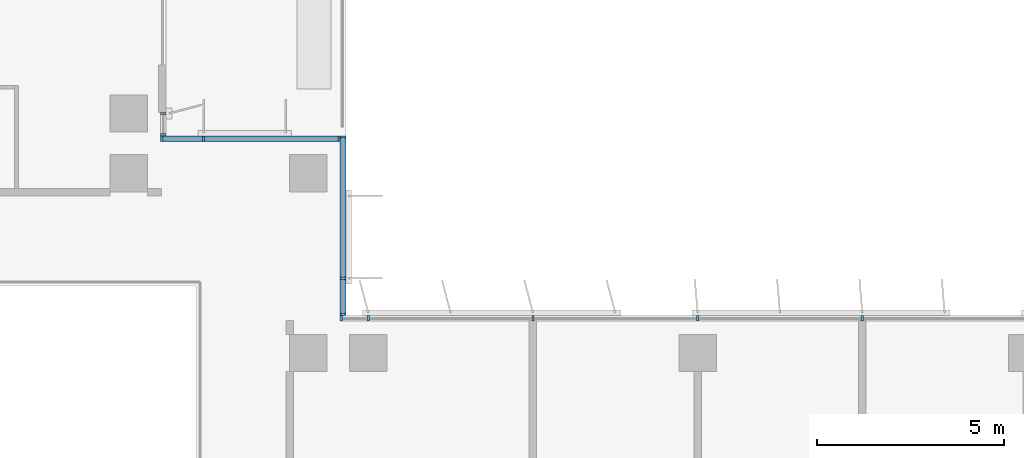
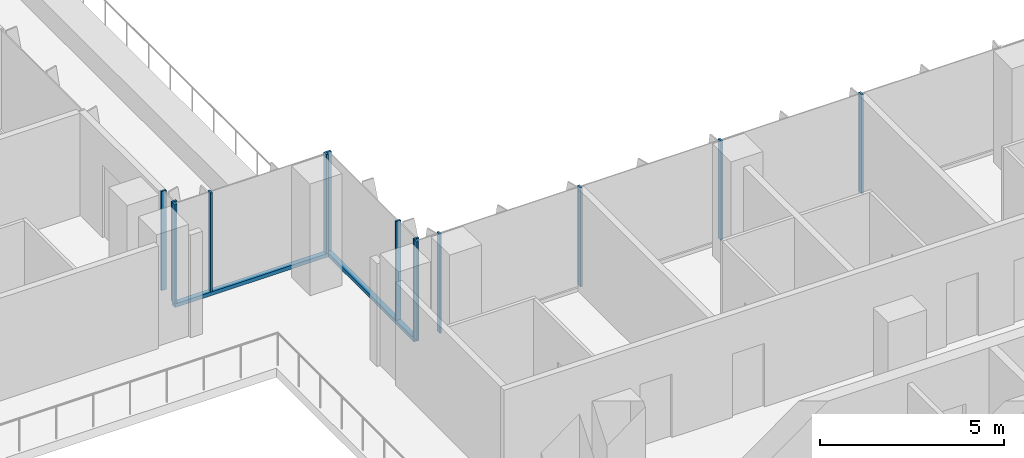
# One storey, part 2 of 22: 15 members, 4 elements without a shape of their own.
"""IFC4 building model written with IfcOpenShell, lengths in metres."""

from ifc_helpers import new_model, si_unit, direction, frame, origin, origin_2d, place, context, subcontext, project, spatial, rectangle, extrude, source, transform, mapped, material, material_profile, profile_set, type_object, element, aggregate, save


model = new_model("IFC4")

# Units and contexts
model_context = context("Model", 3, precision=1e-05, world=origin(), true_north=direction((0.0, 1.0)))
body_context = subcontext(model_context, "Body", "Model", "MODEL_VIEW")
ifc_project = project(units=[si_unit("LENGTHUNIT", "METRE"), si_unit("AREAUNIT", "SQUARE_METRE"), si_unit("VOLUMEUNIT", "CUBIC_METRE"), si_unit("PLANEANGLEUNIT", "RADIAN"), si_unit("MASSUNIT", "GRAM", prefix="KILO")], contexts=[model_context])

# Site, building, storey
site_placement = place(None, origin())
site = spatial("IfcSite", under=ifc_project, at=site_placement, CompositionType="ELEMENT")
building_placement = place(site_placement, origin())
building = spatial("IfcBuilding", under=site, at=building_placement, Name="Kemantara Hotel Tower", CompositionType="ELEMENT")
storey_placement = place(building_placement, frame((0.0, 0.0, 153.10009765625)))
storey = spatial("IfcBuildingStorey", under=building, at=storey_placement, Name="L37", CompositionType="ELEMENT", Elevation=153.10009765625)

# Curtain wall, member
ifc_material_1 = material(Name="Low-E tinted double insulated glass 36 mm", Category="glass")
curtain_wall_type_1 = type_object("IfcCurtainWallType", Name="TOWER CURTAIN WALL, FRONT FACES", PredefinedType="USERDEFINED", material=ifc_material_1)
curtain_wall_1_placement = place(storey_placement, origin())
curtain_wall_1 = element("IfcCurtainWall", 1, at=curtain_wall_1_placement, inside=storey, type_object=curtain_wall_type_1, Name="CW4 L37 T3-R15-1", ObjectType="TOWER CURTAIN WALL, FRONT FACES", PredefinedType="USERDEFINED")
ifc_material_2 = material(Name="Aluminium 6063-T6 bronze anodised", Category="aluminium")
ifc_material_profile_1 = material_profile(ifc_material_2, rectangle(XDim=0.14990234375, YDim=0.1201171875, at=origin_2d()), Name="TOWER CURTAIN WALL, FRONT FACES TRANSOM")
ifc_profile_set_1 = profile_set([ifc_material_profile_1], Name="Aluminium 6063-T6 bronze anodised")
member_type_1 = type_object("IfcMemberType", Name="TOWER CURTAIN WALL, FRONT FACES TRANSOM", PredefinedType="USERDEFINED", material=ifc_profile_set_1)
member_1_placement = place(storey_placement, frame((26.72509765625, 22.0, 0.059814453125), z_axis=(0.0, 1.0, 0.0), x_axis=(-1.0, 0.0, 0.0)))
member_1 = element("IfcMember", 2, at=member_1_placement, type_object=member_type_1, Name="CW4 sill transom T3-R15-1", ObjectType="TRANSOM", PredefinedType="USERDEFINED", context=body_context, shape_type="SweptSolid", body=[
    extrude(rectangle(XDim=0.14990234375, YDim=0.1201171875, at=origin_2d()), origin(), (0.0, 0.0, 1.0), 4.800048828125),
])

curtain_wall_2_placement = place(storey_placement, origin())
curtain_wall_2 = element("IfcCurtainWall", 3, at=curtain_wall_2_placement, inside=storey, type_object=curtain_wall_type_1, Name="CW4 L37 T3-R16-1", ObjectType="TOWER CURTAIN WALL, FRONT FACES", PredefinedType="USERDEFINED")
member_2_placement = place(storey_placement, frame((26.64990234375, 26.72509765625, 0.059814453125), z_axis=(-1.0, 0.0, 0.0), x_axis=(0.0, -1.0, 0.0)))
member_2 = element("IfcMember", 4, at=member_2_placement, type_object=member_type_1, Name="CW4 sill transom T3-R16-1", ObjectType="TRANSOM", PredefinedType="USERDEFINED", context=body_context, shape_type="SweptSolid", body=[
    extrude(rectangle(XDim=0.14990234375, YDim=0.1201171875, at=origin_2d()), origin(), (0.0, 0.0, 1.0), 4.7998046875),
])

# Curtain wall, members
curtain_wall_3_placement = place(storey_placement, origin())
curtain_wall_3 = element("IfcCurtainWall", 5, at=curtain_wall_3_placement, inside=storey, type_object=curtain_wall_type_1, Name="CW4 L37 T3-R14-1", ObjectType="TOWER CURTAIN WALL, FRONT FACES", PredefinedType="USERDEFINED")
ifc_material_profile_2 = material_profile(ifc_material_2, rectangle(XDim=0.14990234375, YDim=0.06005859375, at=origin_2d()), Name="TOWER CURTAIN WALL, FRONT FACES MULLION")
ifc_profile_set_2 = profile_set([ifc_material_profile_2], Name="Aluminium 6063-T6 bronze anodised")
member_type_2 = type_object("IfcMemberType", Name="TOWER CURTAIN WALL, FRONT FACES MULLION", PredefinedType="MULLION", material=ifc_profile_set_2)
shared_shape_1 = source(origin(), body_context, "Body", "SweptSolid", [
    extrude(rectangle(XDim=0.14990234375, YDim=0.06005859375, at=origin_2d()), origin(), (0.0, 0.0, 1.0), 3.280029296875),
])
member_3_placement = place(storey_placement, frame((40.60009765625, 21.925048828125, 0.119873046875), z_axis=(0.0, 0.0, 1.0), x_axis=(0.0, -1.0, 0.0)))
member_3 = element("IfcMember", 6, at=member_3_placement, type_object=member_type_2, Name="CW4 mullion T3-R14-1.6", PredefinedType="MULLION", context=body_context, shape_type="MappedRepresentation", body=[
    mapped(shared_shape_1, transform((0.0, 0.0, 0.0))),
])
member_4_placement = place(storey_placement, frame((36.199951171875, 21.925048828125, 0.119873046875), z_axis=(0.0, 0.0, 1.0), x_axis=(0.0, -1.0, 0.0)))
member_4 = element("IfcMember", 7, at=member_4_placement, type_object=member_type_2, Name="CW4 mullion T3-R14-1.7", PredefinedType="MULLION", context=body_context, shape_type="MappedRepresentation", body=[
    mapped(shared_shape_1, transform((0.0, 0.0, 0.0))),
])
member_5_placement = place(storey_placement, frame((31.800048828125, 21.925048828125, 0.119873046875), z_axis=(0.0, 0.0, 1.0), x_axis=(0.0, -1.0, 0.0)))
member_5 = element("IfcMember", 8, at=member_5_placement, type_object=member_type_2, Name="CW4 mullion T3-R14-1.8", PredefinedType="MULLION", context=body_context, shape_type="MappedRepresentation", body=[
    mapped(shared_shape_1, transform((0.0, 0.0, 0.0))),
])
member_6_placement = place(storey_placement, frame((27.39990234375, 21.925048828125, 0.119873046875), z_axis=(0.0, 0.0, 1.0), x_axis=(0.0, -1.0, 0.0)))
member_6 = element("IfcMember", 9, at=member_6_placement, type_object=member_type_2, Name="CW4 mullion T3-R14-1.9", PredefinedType="MULLION", context=body_context, shape_type="MappedRepresentation", body=[
    mapped(shared_shape_1, transform((0.0, 0.0, 0.0))),
])
member_7_placement = place(storey_placement, frame((26.679931640625, 21.925048828125, 0.119873046875), z_axis=(0.0, 0.0, 1.0), x_axis=(0.0, -1.0, 0.0)))
member_7 = element("IfcMember", 10, at=member_7_placement, type_object=member_type_2, Name="CW4 mullion T3-R14-1.10", PredefinedType="MULLION", context=body_context, shape_type="MappedRepresentation", body=[
    mapped(shared_shape_1, transform((0.0, 0.0, 0.0))),
])
aggregate(curtain_wall_3, [member_3, member_4, member_5, member_6, member_7])

# Member
member_8_placement = place(storey_placement, frame((26.72509765625, 22.030029296875, 0.119873046875), z_axis=(0.0, 0.0, 1.0), x_axis=(-1.0, 0.0, 0.0)))
member_8 = element("IfcMember", 11, at=member_8_placement, type_object=member_type_2, Name="CW4 mullion T3-R15-1.1", PredefinedType="MULLION", context=body_context, shape_type="MappedRepresentation", body=[
    mapped(shared_shape_1, transform((0.0, 0.0, 0.0))),
])

member_9_placement = place(storey_placement, frame((26.72509765625, 23.0, 0.119873046875), z_axis=(0.0, 0.0, 1.0), x_axis=(-1.0, 0.0, 0.0)))
member_9 = element("IfcMember", 12, at=member_9_placement, type_object=member_type_2, Name="CW4 mullion T3-R15-1.2", PredefinedType="MULLION", context=body_context, shape_type="MappedRepresentation", body=[
    mapped(shared_shape_1, transform((0.0, 0.0, 0.0))),
])

member_10_placement = place(storey_placement, frame((26.72509765625, 26.77001953125, 0.119873046875), z_axis=(0.0, 0.0, 1.0), x_axis=(-1.0, 0.0, 0.0)))
member_10 = element("IfcMember", 13, at=member_10_placement, type_object=member_type_2, Name="CW4 mullion T3-R15-1.3", PredefinedType="MULLION", context=body_context, shape_type="MappedRepresentation", body=[
    mapped(shared_shape_1, transform((0.0, 0.0, 0.0))),
])

aggregate(curtain_wall_1, [member_1, member_8, member_9, member_10])

member_11_placement = place(storey_placement, frame((26.6201171875, 26.72509765625, 0.119873046875), z_axis=(0.0, 0.0, 1.0), x_axis=(0.0, -1.0, 0.0)))
member_11 = element("IfcMember", 14, at=member_11_placement, type_object=member_type_2, Name="CW4 mullion T3-R16-1.1", PredefinedType="MULLION", context=body_context, shape_type="MappedRepresentation", body=[
    mapped(shared_shape_1, transform((0.0, 0.0, 0.0))),
])

member_12_placement = place(storey_placement, frame((23.0, 26.72509765625, 0.119873046875), z_axis=(0.0, 0.0, 1.0), x_axis=(0.0, -1.0, 0.0)))
member_12 = element("IfcMember", 15, at=member_12_placement, type_object=member_type_2, Name="CW4 mullion T3-R16-1.2", PredefinedType="MULLION", context=body_context, shape_type="MappedRepresentation", body=[
    mapped(shared_shape_1, transform((0.0, 0.0, 0.0))),
])

member_13_placement = place(storey_placement, frame((21.8798828125, 26.72509765625, 0.119873046875), z_axis=(0.0, 0.0, 1.0), x_axis=(0.0, -1.0, 0.0)))
member_13 = element("IfcMember", 16, at=member_13_placement, type_object=member_type_2, Name="CW4 mullion T3-R16-1.3", PredefinedType="MULLION", context=body_context, shape_type="MappedRepresentation", body=[
    mapped(shared_shape_1, transform((0.0, 0.0, 0.0))),
])

aggregate(curtain_wall_2, [member_2, member_11, member_12, member_13])

# Curtain wall, members
ifc_material_3 = material(Name="Toughened tinted glass 32 mm", Category="glass")
curtain_wall_type_2 = type_object("IfcCurtainWallType", Name="TERRACE GLAZING WALL", PredefinedType="USERDEFINED", material=ifc_material_3)
curtain_wall_4_placement = place(storey_placement, origin())
curtain_wall_4 = element("IfcCurtainWall", 17, at=curtain_wall_4_placement, inside=storey, type_object=curtain_wall_type_2, Name="CW6 L37 T3-R17-1", ObjectType="TERRACE GLAZING WALL", PredefinedType="USERDEFINED")
ifc_material_profile_3 = material_profile(ifc_material_2, rectangle(XDim=0.14990234375, YDim=0.06005859375, at=origin_2d()), Name="TERRACE GLAZING WALL MULLION")
ifc_profile_set_3 = profile_set([ifc_material_profile_3], Name="Aluminium 6063-T6 bronze anodised")
member_type_3 = type_object("IfcMemberType", Name="TERRACE GLAZING WALL MULLION", PredefinedType="MULLION", material=ifc_profile_set_3)
shared_shape_2 = source(origin(), body_context, "Body", "SweptSolid", [
    extrude(rectangle(XDim=0.14990234375, YDim=0.06005859375, at=origin_2d()), origin(), (0.0, 0.0, 1.0), 3.280029296875),
])
member_14_placement = place(storey_placement, frame((21.925048828125, 26.830078125, 0.119873046875), z_axis=(0.0, 0.0, 1.0), x_axis=(-1.0, 0.0, 0.0)))
member_14 = element("IfcMember", 18, at=member_14_placement, type_object=member_type_3, Name="CW6 mullion T3-R17-1.1", PredefinedType="MULLION", context=body_context, shape_type="MappedRepresentation", body=[
    mapped(shared_shape_2, transform((0.0, 0.0, 0.0))),
])
member_15_placement = place(storey_placement, frame((21.925048828125, 27.39990234375, 0.119873046875), z_axis=(0.0, 0.0, 1.0), x_axis=(-1.0, 0.0, 0.0)))
member_15 = element("IfcMember", 19, at=member_15_placement, type_object=member_type_3, Name="CW6 mullion T3-R17-1.2", PredefinedType="MULLION", context=body_context, shape_type="MappedRepresentation", body=[
    mapped(shared_shape_2, transform((0.0, 0.0, 0.0))),
])
aggregate(curtain_wall_4, [member_14, member_15])

save(model, "model.ifc")
